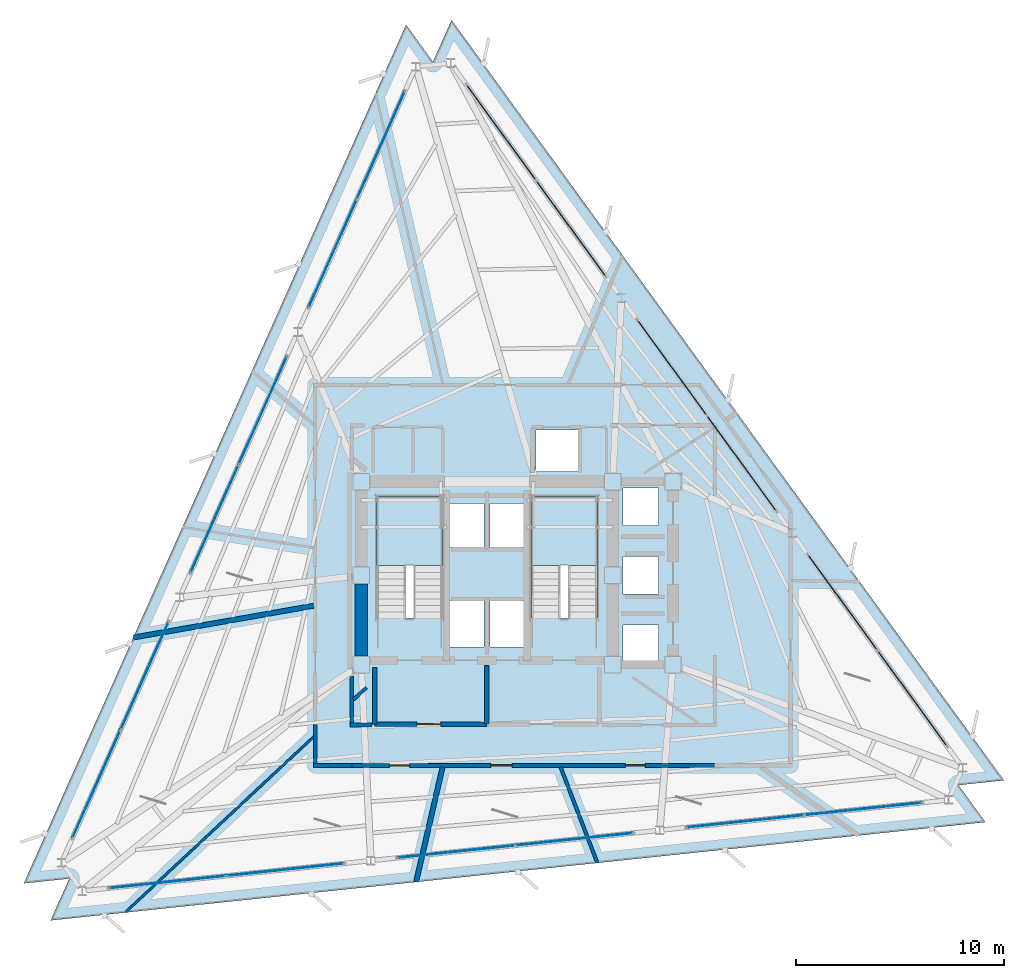
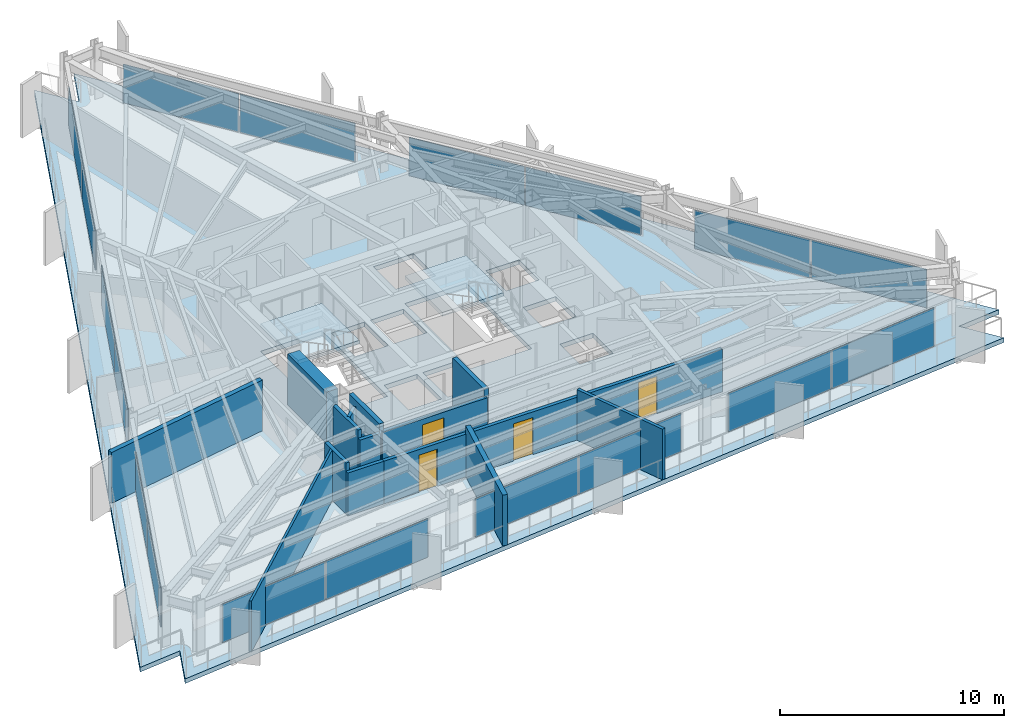
# One storey, part 7 of 12: 18 plates, 14 walls, 4 doors, 3 slabs, 4 openings, 11 elements without a shape of their own.
"""IFC4 building model written with IfcOpenShell, lengths in metres."""

from ifc_helpers import new_model, si_unit, direction, frame, frame_2d, origin, origin_2d, place, context, subcontext, project, spatial, polyline, rectangle, outline, extrude, material, layer, layer_set, type_object, element, fill, aggregate, save


model = new_model("IFC4")

# Units and contexts
model_context = context("Model", 3, precision=1e-05, world=origin(), true_north=direction((0.0, 1.0)))
body_context = subcontext(model_context, "Body", "Model", "MODEL_VIEW")
ifc_project = project(units=[si_unit("LENGTHUNIT", "METRE"), si_unit("AREAUNIT", "SQUARE_METRE"), si_unit("VOLUMEUNIT", "CUBIC_METRE"), si_unit("PLANEANGLEUNIT", "RADIAN"), si_unit("MASSUNIT", "GRAM", prefix="KILO")], contexts=[model_context])

# Site, building, storey
site_placement = place(None, origin())
site = spatial("IfcSite", under=ifc_project, at=site_placement, CompositionType="ELEMENT")
building_placement = place(site_placement, origin())
building = spatial("IfcBuilding", under=site, at=building_placement, Name="Rocaltana Carrier Exchange", CompositionType="ELEMENT")
storey_placement = place(building_placement, frame((0.0, 0.0, 116.800048828125)))
storey = spatial("IfcBuildingStorey", under=building, at=storey_placement, Name="L36", CompositionType="ELEMENT", Elevation=116.800048828125)

# Curtain wall, plates
ifc_material_1 = material(Name="Aluminium 6063-T6", Category="aluminium")
ifc_layer_1 = layer(ifc_material_1, 0.14990234375)
ifc_layer_set_1 = layer_set([ifc_layer_1], Name="Aluminium 6063-T6")
curtain_wall_type = type_object("IfcCurtainWallType", Name="Mid-Tower Unitised Curtain Wall CW-03", PredefinedType="NOTDEFINED", material=ifc_layer_set_1)
curtain_wall_1_placement = place(storey_placement, origin())
curtain_wall_1 = element("IfcCurtainWall", 1, at=curtain_wall_1_placement, inside=storey, type_object=curtain_wall_type, Name="L36 CW-03 Run CW-L36-F1S1", PredefinedType="NOTDEFINED")
ifc_material_2 = material(Name="Tempered Laminated Glass", Category="glass")
ifc_layer_2 = layer(ifc_material_2, 0.0400390625)
ifc_layer_set_2 = layer_set([ifc_layer_2], Name="Tempered Laminated Glass")
plate_type = type_object("IfcPlateType", Name="CW-03 Stone-Insulated Vision Panel", PredefinedType="CURTAIN_PANEL", material=ifc_layer_set_2)
plate_1_placement = place(storey_placement, frame((20.4580078125, -5.925048828125, 0.06005859375), z_axis=(0.0, 0.0, 1.0), x_axis=(-0.587789985889, 0.809013555195, 0.0)))
plate_1 = element("IfcPlate", 2, at=plate_1_placement, type_object=plate_type, Name="CW-03 panel 1.1", PredefinedType="CURTAIN_PANEL", context=body_context, shape_type="SweptSolid", body=[
    extrude(rectangle(XDim=5.643310546875, YDim=0.0400390625, at=origin_2d()), origin(), (0.0, 0.0, 1.0), 2.097900390625),
])
plate_2_placement = place(storey_placement, frame((17.105712890625, -1.310791015625, 0.06005859375), z_axis=(0.0, 0.0, 1.0), x_axis=(-0.587789985889, 0.809013555195, 0.0)))
plate_2 = element("IfcPlate", 3, at=plate_2_placement, type_object=plate_type, Name="CW-03 panel 2.1", PredefinedType="CURTAIN_PANEL", context=body_context, shape_type="SweptSolid", body=[
    extrude(rectangle(XDim=5.643310546875, YDim=0.0400390625, at=origin_2d()), origin(), (0.0, 0.0, 1.0), 2.097900390625),
])
aggregate(curtain_wall_1, [plate_1, plate_2])

curtain_wall_2_placement = place(storey_placement, origin())
curtain_wall_2 = element("IfcCurtainWall", 4, at=curtain_wall_2_placement, inside=storey, type_object=curtain_wall_type, Name="L36 CW-03 Run CW-L36-F1S2", PredefinedType="NOTDEFINED")
plate_3_placement = place(storey_placement, frame((12.248779296875, 5.374267578125, 0.06005859375), z_axis=(0.0, 0.0, 1.0), x_axis=(-0.587789985889, 0.809013555195, 0.0)))
plate_3 = element("IfcPlate", 5, at=plate_3_placement, type_object=plate_type, Name="CW-03 panel 1.1", PredefinedType="CURTAIN_PANEL", context=body_context, shape_type="SweptSolid", body=[
    extrude(rectangle(XDim=5.643310546875, YDim=0.0400390625, at=origin_2d()), origin(), (0.0, 0.0, 1.0), 2.097900390625),
])
plate_4_placement = place(storey_placement, frame((8.896240234375, 9.98828125, 0.06005859375), z_axis=(0.0, 0.0, 1.0), x_axis=(-0.587789985889, 0.809013555195, 0.0)))
plate_4 = element("IfcPlate", 6, at=plate_4_placement, type_object=plate_type, Name="CW-03 panel 2.1", PredefinedType="CURTAIN_PANEL", context=body_context, shape_type="SweptSolid", body=[
    extrude(rectangle(XDim=5.643310546875, YDim=0.0400390625, at=origin_2d()), origin(), (0.0, 0.0, 1.0), 2.097900390625),
])
aggregate(curtain_wall_2, [plate_3, plate_4])

curtain_wall_3_placement = place(storey_placement, origin())
curtain_wall_3 = element("IfcCurtainWall", 7, at=curtain_wall_3_placement, inside=storey, type_object=curtain_wall_type, Name="L36 CW-03 Run CW-L36-F1S3", PredefinedType="NOTDEFINED")
plate_5_placement = place(storey_placement, frame((4.039306640625, 16.673583984375, 0.06005859375), z_axis=(0.0, 0.0, 1.0), x_axis=(-0.587789985889, 0.809013555195, 0.0)))
plate_5 = element("IfcPlate", 8, at=plate_5_placement, type_object=plate_type, Name="CW-03 panel 1.1", PredefinedType="CURTAIN_PANEL", context=body_context, shape_type="SweptSolid", body=[
    extrude(rectangle(XDim=5.643310546875, YDim=0.0400390625, at=origin_2d()), origin(), (0.0, 0.0, 1.0), 2.097900390625),
])
plate_6_placement = place(storey_placement, frame((0.68701171875, 21.28759765625, 0.06005859375), z_axis=(0.0, 0.0, 1.0), x_axis=(-0.587789985889, 0.809013555195, 0.0)))
plate_6 = element("IfcPlate", 9, at=plate_6_placement, type_object=plate_type, Name="CW-03 panel 2.1", PredefinedType="CURTAIN_PANEL", context=body_context, shape_type="SweptSolid", body=[
    extrude(rectangle(XDim=5.643310546875, YDim=0.0400390625, at=origin_2d()), origin(), (0.0, 0.0, 1.0), 2.097900390625),
])
aggregate(curtain_wall_3, [plate_5, plate_6])

curtain_wall_4_placement = place(storey_placement, origin())
curtain_wall_4 = element("IfcCurtainWall", 10, at=curtain_wall_4_placement, inside=storey, type_object=curtain_wall_type, Name="L36 CW-03 Run CW-L36-F2S1", PredefinedType="NOTDEFINED")
plate_7_placement = place(storey_placement, frame((-5.097900390625, 20.6796875, 0.06005859375), z_axis=(0.0, 0.0, 1.0), x_axis=(-0.406740386206, -0.913543791084, 0.0)))
plate_7 = element("IfcPlate", 11, at=plate_7_placement, type_object=plate_type, Name="CW-03 panel 1.1", PredefinedType="CURTAIN_PANEL", context=body_context, shape_type="SweptSolid", body=[
    extrude(rectangle(XDim=5.643310546875, YDim=0.0400390625, at=origin_2d()), origin(), (0.0, 0.0, 1.0), 2.097900390625),
])
plate_8_placement = place(storey_placement, frame((-7.41748046875, 15.46923828125, 0.06005859375), z_axis=(0.0, 0.0, 1.0), x_axis=(-0.406740386206, -0.913543791084, 0.0)))
plate_8 = element("IfcPlate", 12, at=plate_8_placement, type_object=plate_type, Name="CW-03 panel 2.1", PredefinedType="CURTAIN_PANEL", context=body_context, shape_type="SweptSolid", body=[
    extrude(rectangle(XDim=5.643310546875, YDim=0.0400390625, at=origin_2d()), origin(), (0.0, 0.0, 1.0), 2.097900390625),
])
aggregate(curtain_wall_4, [plate_7, plate_8])

curtain_wall_5_placement = place(storey_placement, origin())
curtain_wall_5 = element("IfcCurtainWall", 13, at=curtain_wall_5_placement, inside=storey, type_object=curtain_wall_type, Name="L36 CW-03 Run CW-L36-F2S2", PredefinedType="NOTDEFINED")
plate_9_placement = place(storey_placement, frame((-10.778564453125, 7.92041015625, 0.06005859375), z_axis=(0.0, 0.0, 1.0), x_axis=(-0.406743626669, -0.913542348315, 0.0)))
plate_9 = element("IfcPlate", 14, at=plate_9_placement, type_object=plate_type, Name="CW-03 panel 1.1", PredefinedType="CURTAIN_PANEL", context=body_context, shape_type="SweptSolid", body=[
    extrude(rectangle(XDim=5.643310546875, YDim=0.0400390625, at=origin_2d()), origin(), (0.0, 0.0, 1.0), 2.097900390625),
])
plate_10_placement = place(storey_placement, frame((-13.098388671875, 2.710205078125, 0.06005859375), z_axis=(0.0, 0.0, 1.0), x_axis=(-0.406743626669, -0.913542348315, 0.0)))
plate_10 = element("IfcPlate", 15, at=plate_10_placement, type_object=plate_type, Name="CW-03 panel 2.1", PredefinedType="CURTAIN_PANEL", context=body_context, shape_type="SweptSolid", body=[
    extrude(rectangle(XDim=5.643310546875, YDim=0.0400390625, at=origin_2d()), origin(), (0.0, 0.0, 1.0), 2.097900390625),
])
aggregate(curtain_wall_5, [plate_9, plate_10])

curtain_wall_6_placement = place(storey_placement, origin())
curtain_wall_6 = element("IfcCurtainWall", 16, at=curtain_wall_6_placement, inside=storey, type_object=curtain_wall_type, Name="L36 CW-03 Run CW-L36-F2S3", PredefinedType="NOTDEFINED")
plate_11_placement = place(storey_placement, frame((-16.45947265625, -4.838623046875, 0.06005859375), z_axis=(0.0, 0.0, 1.0), x_axis=(-0.406733108077, -0.913547031517, 0.0)))
plate_11 = element("IfcPlate", 17, at=plate_11_placement, type_object=plate_type, Name="CW-03 panel 1.1", PredefinedType="CURTAIN_PANEL", context=body_context, shape_type="SweptSolid", body=[
    extrude(rectangle(XDim=5.643310546875, YDim=0.0400390625, at=origin_2d()), origin(), (0.0, 0.0, 1.0), 2.097900390625),
])
plate_12_placement = place(storey_placement, frame((-18.779052734375, -10.048828125, 0.06005859375), z_axis=(0.0, 0.0, 1.0), x_axis=(-0.406733108077, -0.913547031517, 0.0)))
plate_12 = element("IfcPlate", 18, at=plate_12_placement, type_object=plate_type, Name="CW-03 panel 2.1", PredefinedType="CURTAIN_PANEL", context=body_context, shape_type="SweptSolid", body=[
    extrude(rectangle(XDim=5.643310546875, YDim=0.0400390625, at=origin_2d()), origin(), (0.0, 0.0, 1.0), 2.097900390625),
])
aggregate(curtain_wall_6, [plate_11, plate_12])

curtain_wall_7_placement = place(storey_placement, origin())
curtain_wall_7 = element("IfcCurtainWall", 19, at=curtain_wall_7_placement, inside=storey, type_object=curtain_wall_type, Name="L36 CW-03 Run CW-L36-F3S1", PredefinedType="NOTDEFINED")
plate_13_placement = place(storey_placement, frame((-15.360107421875, -14.754638671875, 0.06005859375), z_axis=(0.0, 0.0, 1.0), x_axis=(0.994522594952, 0.104521806959, 0.0)))
plate_13 = element("IfcPlate", 20, at=plate_13_placement, type_object=plate_type, Name="CW-03 panel 1.1", PredefinedType="CURTAIN_PANEL", context=body_context, shape_type="SweptSolid", body=[
    extrude(rectangle(XDim=5.643310546875, YDim=0.0400390625, at=origin_2d()), origin(), (0.0, 0.0, 1.0), 2.097900390625),
])
plate_14_placement = place(storey_placement, frame((-9.688232421875, -14.15869140625, 0.06005859375), z_axis=(0.0, 0.0, 1.0), x_axis=(0.994522594952, 0.104521806959, 0.0)))
plate_14 = element("IfcPlate", 21, at=plate_14_placement, type_object=plate_type, Name="CW-03 panel 2.1", PredefinedType="CURTAIN_PANEL", context=body_context, shape_type="SweptSolid", body=[
    extrude(rectangle(XDim=5.643310546875, YDim=0.0400390625, at=origin_2d()), origin(), (0.0, 0.0, 1.0), 2.097900390625),
])
aggregate(curtain_wall_7, [plate_13, plate_14])

curtain_wall_8_placement = place(storey_placement, origin())
curtain_wall_8 = element("IfcCurtainWall", 22, at=curtain_wall_8_placement, inside=storey, type_object=curtain_wall_type, Name="L36 CW-03 Run CW-L36-F3S2", PredefinedType="NOTDEFINED")
plate_15_placement = place(storey_placement, frame((-1.469970703125, -13.294677734375, 0.06005859375), z_axis=(0.0, 0.0, 1.0), x_axis=(0.994521783658, 0.104529526113, 0.0)))
plate_15 = element("IfcPlate", 23, at=plate_15_placement, type_object=plate_type, Name="CW-03 panel 1.1", PredefinedType="CURTAIN_PANEL", context=body_context, shape_type="SweptSolid", body=[
    extrude(rectangle(XDim=5.643310546875, YDim=0.0400390625, at=origin_2d()), origin(), (0.0, 0.0, 1.0), 2.097900390625),
])
plate_16_placement = place(storey_placement, frame((4.2021484375, -12.69873046875, 0.06005859375), z_axis=(0.0, 0.0, 1.0), x_axis=(0.994521783658, 0.104529526113, 0.0)))
plate_16 = element("IfcPlate", 24, at=plate_16_placement, type_object=plate_type, Name="CW-03 panel 2.1", PredefinedType="CURTAIN_PANEL", context=body_context, shape_type="SweptSolid", body=[
    extrude(rectangle(XDim=5.643310546875, YDim=0.0400390625, at=origin_2d()), origin(), (0.0, 0.0, 1.0), 2.097900390625),
])
aggregate(curtain_wall_8, [plate_15, plate_16])

curtain_wall_9_placement = place(storey_placement, origin())
curtain_wall_9 = element("IfcCurtainWall", 25, at=curtain_wall_9_placement, inside=storey, type_object=curtain_wall_type, Name="L36 CW-03 Run CW-L36-F3S3", PredefinedType="NOTDEFINED")
plate_17_placement = place(storey_placement, frame((12.420166015625, -11.834716796875, 0.06005859375), z_axis=(0.0, 0.0, 1.0), x_axis=(0.994522594952, 0.104521806959, 0.0)))
plate_17 = element("IfcPlate", 26, at=plate_17_placement, type_object=plate_type, Name="CW-03 panel 1.1", PredefinedType="CURTAIN_PANEL", context=body_context, shape_type="SweptSolid", body=[
    extrude(rectangle(XDim=5.643310546875, YDim=0.0400390625, at=origin_2d()), origin(), (0.0, 0.0, 1.0), 2.097900390625),
])
plate_18_placement = place(storey_placement, frame((18.092041015625, -11.23876953125, 0.06005859375), z_axis=(0.0, 0.0, 1.0), x_axis=(0.994522594952, 0.104521806959, 0.0)))
plate_18 = element("IfcPlate", 27, at=plate_18_placement, type_object=plate_type, Name="CW-03 panel 2.1", PredefinedType="CURTAIN_PANEL", context=body_context, shape_type="SweptSolid", body=[
    extrude(rectangle(XDim=5.643310546875, YDim=0.0400390625, at=origin_2d()), origin(), (0.0, 0.0, 1.0), 2.097900390625),
])
aggregate(curtain_wall_9, [plate_17, plate_18])

# Slab
ifc_material_3 = material(Name="Concrete C50/60", Category="concrete")
ifc_layer_3 = layer(ifc_material_3, 0.25)
ifc_layer_set_3 = layer_set([ifc_layer_3], Name="Concrete C50/60")
slab_type_1 = type_object("IfcSlabType", Name="Mid-Zone Tower Slab 250", PredefinedType="FLOOR", material=ifc_layer_set_3)
slab_1_placement = place(storey_placement, frame((0.0, 0.0, -0.25)))
element("IfcSlab", 28, at=slab_1_placement, inside=storey, type_object=slab_type_1, Name="L36 Structural Floor Slab", PredefinedType="FLOOR", context=body_context, shape_type="SweptSolid", body=[
    extrude(outline(polyline([(23.972900390625, -11.87744140625), (22.6796875, -10.09765625), (24.86767578125, -9.86767578125), (-1.7001953125, 26.699951171875), (-2.594970703125, 24.690185546875), (-3.88818359375, 26.469970703125), (-22.272705078125, -14.822509765625), (-20.084716796875, -14.59228515625), (-20.9794921875, -16.602294921875), (23.972900390625, -11.87744140625)]), holes=[polyline([(-5.300048828125, -2.06005859375), (-2.139892578125, -2.06005859375), (-2.139892578125, 3.800048828125), (-5.300048828125, 3.800048828125), (-5.300048828125, -2.06005859375)]), polyline([(2.139892578125, -2.06005859375), (5.300048828125, -2.06005859375), (5.300048828125, 3.800048828125), (2.139892578125, 3.800048828125), (2.139892578125, -2.06005859375)]), polyline([(-1.85009765625, -3.449951171875), (-0.14990234375, -3.449951171875), (-0.14990234375, -1.25), (-1.85009765625, -1.25), (-1.85009765625, -3.449951171875)]), polyline([(0.14990234375, -3.449951171875), (1.85009765625, -3.449951171875), (1.85009765625, -1.25), (0.14990234375, -1.25), (0.14990234375, -3.449951171875)]), polyline([(2.35009765625, 4.97998046875), (4.39990234375, 4.97998046875), (4.39990234375, 6.97998046875), (2.35009765625, 6.97998046875), (2.35009765625, 4.97998046875)]), polyline([(-1.85009765625, 1.35009765625), (-0.14990234375, 1.35009765625), (-0.14990234375, 3.449951171875), (-1.85009765625, 3.449951171875), (-1.85009765625, 1.35009765625)]), polyline([(0.14990234375, 1.35009765625), (1.85009765625, 1.35009765625), (1.85009765625, 3.449951171875), (0.14990234375, 3.449951171875), (0.14990234375, 1.35009765625)]), polyline([(6.550048828125, -4.199951171875), (8.25, -4.199951171875), (8.25, -2.39990234375), (6.550048828125, -2.39990234375), (6.550048828125, -4.199951171875)]), polyline([(6.550048828125, -0.89990234375), (8.25, -0.89990234375), (8.25, 0.89990234375), (6.550048828125, 0.89990234375), (6.550048828125, -0.89990234375)]), polyline([(6.550048828125, 2.39990234375), (8.25, 2.39990234375), (8.25, 4.199951171875), (6.550048828125, 4.199951171875), (6.550048828125, 2.39990234375)])]), origin(), (0.0, 0.0, 1.0), 0.25),
])

# Stair, slab
ifc_material_4 = material(Name="Precast concrete C45/55", Category="concrete")
stair_type = type_object("IfcStairType", Name="Standard Dog-Leg Stair 160", PredefinedType="HALF_TURN_STAIR", material=ifc_material_4)
stair_1_placement = place(storey_placement, origin())
stair_1 = element("IfcStair", 29, at=stair_1_placement, inside=storey, type_object=stair_type, Name="L36 Core West Exit Stair ST-1", PredefinedType="HALF_TURN_STAIR")
ifc_material_5 = material(Name="Precast concrete C45/55", Category="concrete")
ifc_layer_4 = layer(ifc_material_5, 0.199951171875)
ifc_layer_set_4 = layer_set([ifc_layer_4], Name="Precast concrete C45/55")
slab_type_2 = type_object("IfcSlabType", Name="Precast Stair Half-Landing 200", PredefinedType="LANDING", material=ifc_layer_set_4)
slab_2_placement = place(storey_placement, frame((0.0, 0.0, 1.320068359375)))
slab_2 = element("IfcSlab", 30, at=slab_2_placement, type_object=slab_type_2, Name="ST-1 landing 1", PredefinedType="LANDING", context=body_context, shape_type="SweptSolid", body=[
    extrude(outline(polyline([(-2.139892578125, 0.4599609375), (-2.139892578125, 3.800048828125), (-5.300048828125, 3.800048828125), (-5.300048828125, 0.4599609375), (-2.139892578125, 0.4599609375)])), origin(), (0.0, 0.0, 1.0), 0.199951171875),
])
aggregate(stair_1, [slab_2])

stair_2_placement = place(storey_placement, origin())
stair_2 = element("IfcStair", 31, at=stair_2_placement, inside=storey, type_object=stair_type, Name="L36 Core East Exit Stair ST-2", PredefinedType="HALF_TURN_STAIR")
slab_3_placement = place(storey_placement, frame((0.0, 0.0, 1.320068359375)))
slab_3 = element("IfcSlab", 32, at=slab_3_placement, type_object=slab_type_2, Name="ST-2 landing 1", PredefinedType="LANDING", context=body_context, shape_type="SweptSolid", body=[
    extrude(outline(polyline([(5.300048828125, 0.4599609375), (5.300048828125, 3.800048828125), (2.139892578125, 3.800048828125), (2.139892578125, 0.4599609375), (5.300048828125, 0.4599609375)])), origin(), (0.0, 0.0, 1.0), 0.199951171875),
])
aggregate(stair_2, [slab_3])

# Walls
ifc_material_6 = material(Name="Double Acoustic Gypsum Partition", Category="gypsum")
ifc_layer_5 = layer(ifc_material_6, 0.159912109375)
ifc_layer_set_5 = layer_set([ifc_layer_5], Name="Double Acoustic Gypsum Partition")
wall_type_1 = type_object("IfcWallType", Name="Acoustic Studio Partition 160 EI60", PredefinedType="PARTITIONING", material=ifc_layer_set_5)
wall_1_placement = place(storey_placement, frame((-5.800048828125, -5.40869140625, 0.0), z_axis=(0.0, 0.0, 1.0), x_axis=(-0.731304251281, -0.682051385204, 0.0)))
element("IfcWall", 33, at=wall_1_placement, inside=storey, type_object=wall_type_1, Name="L36 Suite Divider Wall D2", PredefinedType="PARTITIONING", context=body_context, shape_type="SweptSolid", body=[
    extrude(rectangle(XDim=0.84765625, YDim=0.159912109375, at=frame_2d((0.423828125, 0.0))), origin(), (0.0, 0.0, 1.0), 2.762939453125),
])
wall_2_placement = place(storey_placement, frame((3.543212890625, -9.22998046875, 0.0), z_axis=(0.0, 0.0, 1.0), x_axis=(0.358357985043, -0.93358425145, 0.0)))
element("IfcWall", 34, at=wall_2_placement, inside=storey, type_object=wall_type_1, Name="L36 Suite Divider Wall D5", PredefinedType="PARTITIONING", context=body_context, shape_type="SweptSolid", body=[
    extrude(rectangle(XDim=4.92626953125, YDim=0.159912109375, at=frame_2d((2.463134765625, 0.0))), origin(), (0.0, 0.0, 1.0), 2.762939453125),
])
ifc_material_7 = material(Name="Concrete C50/60", Category="concrete")
ifc_layer_6 = layer(ifc_material_7, 0.60009765625)
ifc_layer_set_6 = layer_set([ifc_layer_6], Name="Concrete C50/60")
wall_type_2 = type_object("IfcWallType", Name="Core Shear Wall 600", PredefinedType="SHEAR", material=ifc_layer_set_6)
wall_3_placement = place(storey_placement, frame((-6.050048828125, -3.875, 0.0), z_axis=(0.0, 0.0, 1.0), x_axis=(0.0, 1.0, 0.0)))
element("IfcWall", 35, at=wall_3_placement, inside=storey, type_object=wall_type_2, Name="L36 Core Shear Wall CW-WS", PredefinedType="SHEAR", context=body_context, shape_type="SweptSolid", body=[
    extrude(rectangle(XDim=3.449951171875, YDim=0.60009765625, at=frame_2d((1.72509765625, 0.0))), origin(), (0.0, 0.0, 1.0), 2.787841796875),
])
ifc_material_8 = material(Name="Gypsum & Steel Stud Partition", Category="steel")
ifc_layer_7 = layer(ifc_material_8, 0.179931640625)
ifc_layer_set_7 = layer_set([ifc_layer_7], Name="Gypsum & Steel Stud Partition")
wall_type_3 = type_object("IfcWallType", Name="Corridor Fire Partition 180 EI60", PredefinedType="PARTITIONING", material=ifc_layer_set_7)
wall_4_placement = place(storey_placement, frame((-6.47998046875, -9.14990234375, 0.0), z_axis=(0.0, 0.0, 1.0), x_axis=(-1.0, 0.0, 0.0)))
element("IfcWall", 36, at=wall_4_placement, inside=storey, type_object=wall_type_3, Name="L36 Corridor Partition 1", PredefinedType="PARTITIONING", context=body_context, shape_type="SweptSolid", body=[
    extrude(rectangle(XDim=1.860107421875, YDim=0.179931640625, at=frame_2d((0.93017578125, 0.0))), origin(), (0.0, 0.0, 1.0), 2.329833984375),
])
wall_5_placement = place(storey_placement, frame((-8.25, -9.06005859375, 0.0), z_axis=(0.0, 0.0, 1.0), x_axis=(0.0, 1.0, 0.0)))
element("IfcWall", 37, at=wall_5_placement, inside=storey, type_object=wall_type_3, Name="L36 Corridor Partition 2", PredefinedType="PARTITIONING", context=body_context, shape_type="SweptSolid", body=[
    extrude(rectangle(XDim=1.880126953125, YDim=0.179931640625, at=frame_2d((0.93994140625, 0.0))), origin(), (0.0, 0.0, 1.0), 2.762939453125),
])

# Wall, openings, doors
wall_6_placement = place(storey_placement, frame((10.97998046875, -9.14990234375, 0.0), z_axis=(0.0, 0.0, 1.0), x_axis=(-1.0, 0.0, 0.0)))
wall_6 = element("IfcWall", 38, at=wall_6_placement, inside=storey, type_object=wall_type_3, Name="L36 Corridor Partition 11", PredefinedType="PARTITIONING", context=body_context, shape_type="SweptSolid", body=[
    extrude(rectangle(XDim=17.5, YDim=0.179931640625, at=frame_2d((8.75, 0.0))), origin(), (0.0, 0.0, 1.0), 2.329833984375),
])
opening_1_placement = place(wall_6_placement, frame((14.6962890625, 0.0, 0.0)))
opening_1 = element("IfcOpeningElement", 39, at=opening_1_placement, cuts=wall_6, Name="Opening D-RM098", PredefinedType="OPENING", context=body_context, shape_type="SweptSolid", body=[
    extrude(rectangle(XDim=0.9599609375, YDim=2.02001953125, at=frame_2d((0.47998046875, 1.010009765625))), frame((0.0, 0.099853515625, 0.0), z_axis=(0.0, -1.0, 0.0), x_axis=(1.0, 0.0, 0.0)), (0.0, 0.0, 1.0), 0.199951171875),
])
opening_2_placement = place(wall_6_placement, frame((9.763916015625, 0.0, 0.0)))
opening_2 = element("IfcOpeningElement", 40, at=opening_2_placement, cuts=wall_6, Name="Opening D-LB104", PredefinedType="OPENING", context=body_context, shape_type="SweptSolid", body=[
    extrude(rectangle(XDim=1.02001953125, YDim=2.02001953125, at=frame_2d((0.510009765625, 1.010009765625))), frame((0.0, 0.099853515625, 0.0), z_axis=(0.0, -1.0, 0.0), x_axis=(1.0, 0.0, 0.0)), (0.0, 0.0, 1.0), 0.199951171875),
])
opening_3_placement = place(wall_6_placement, frame((3.365966796875, 0.0, 0.0)))
opening_3 = element("IfcOpeningElement", 41, at=opening_3_placement, cuts=wall_6, Name="Opening D-RM098", PredefinedType="OPENING", context=body_context, shape_type="SweptSolid", body=[
    extrude(rectangle(XDim=0.9599609375, YDim=2.02001953125, at=frame_2d((0.47998046875, 1.010009765625))), frame((0.0, 0.099853515625, 0.0), z_axis=(0.0, -1.0, 0.0), x_axis=(1.0, 0.0, 0.0)), (0.0, 0.0, 1.0), 0.199951171875),
])
ifc_material_9 = material(Name="Powder-Coated Aluminium 6063-T6", Category="aluminium")
door_type_1 = type_object("IfcDoorType", Name="Laboratory Acoustic Door 1020x2020", OperationType="NOTDEFINED", PredefinedType="DOOR", material=ifc_material_9)
door_1_placement = place(opening_2_placement, origin())
door_1 = element("IfcDoor", 42, at=door_1_placement, inside=storey, type_object=door_type_1, Name="L36 Optical Switching Laboratory Entrance Door", OperationType="SINGLE_SWING_LEFT", OverallHeight=2.02001953125, OverallWidth=1.02001953125, PredefinedType="DOOR", context=body_context, shape_type="SweptSolid", body=[
    extrude(rectangle(XDim=1.02001953125, YDim=2.02001953125, at=frame_2d((0.510009765625, 1.010009765625))), frame((0.0, 0.02490234375, 0.0), z_axis=(0.0, -1.0, 0.0), x_axis=(1.0, 0.0, 0.0)), (0.0, 0.0, 1.0), 0.050048828125),
])
fill(opening_2, door_1)
ifc_material_10 = material(Name="Engineered Hardwood Timber", Category="wood")
door_type_2 = type_object("IfcDoorType", Name="Workspace Single Door 960x2020", OperationType="NOTDEFINED", PredefinedType="DOOR", material=ifc_material_10)
door_2_placement = place(opening_1_placement, origin())
door_2 = element("IfcDoor", 43, at=door_2_placement, inside=storey, type_object=door_type_2, Name="L36 Peering Conference Room Entrance Door", OperationType="SINGLE_SWING_RIGHT", OverallHeight=2.02001953125, OverallWidth=0.9599609375, PredefinedType="DOOR", context=body_context, shape_type="SweptSolid", body=[
    extrude(rectangle(XDim=0.9599609375, YDim=2.02001953125, at=frame_2d((0.47998046875, 1.010009765625))), frame((0.0, 0.02490234375, 0.0), z_axis=(0.0, -1.0, 0.0), x_axis=(1.0, 0.0, 0.0)), (0.0, 0.0, 1.0), 0.050048828125),
])
fill(opening_1, door_2)
door_3_placement = place(opening_3_placement, origin())
door_3 = element("IfcDoor", 44, at=door_3_placement, inside=storey, type_object=door_type_2, Name="L36 Executive Peering Boardroom Entrance Door", OperationType="SINGLE_SWING_RIGHT", OverallHeight=2.02001953125, OverallWidth=0.9599609375, PredefinedType="DOOR", context=body_context, shape_type="SweptSolid", body=[
    extrude(rectangle(XDim=0.9599609375, YDim=2.02001953125, at=frame_2d((0.47998046875, 1.010009765625))), frame((0.0, 0.02490234375, 0.0), z_axis=(0.0, -1.0, 0.0), x_axis=(1.0, 0.0, 0.0)), (0.0, 0.0, 1.0), 0.050048828125),
])
fill(opening_3, door_3)

# Walls
wall_7_placement = place(storey_placement, frame((-6.5, -4.8798828125, 0.0), z_axis=(0.0, 0.0, 1.0), x_axis=(0.0, -1.0, 0.0)))
element("IfcWall", 45, at=wall_7_placement, inside=storey, type_object=wall_type_3, Name="L36 Corridor Partition 19", PredefinedType="PARTITIONING", context=body_context, shape_type="SweptSolid", body=[
    extrude(rectangle(XDim=2.230224609375, YDim=0.179931640625, at=frame_2d((1.115234375, 0.0))), origin(), (0.0, 0.0, 1.0), 2.762939453125),
])
wall_8_placement = place(storey_placement, frame((-6.590087890625, -7.199951171875, 0.0), z_axis=(0.0, 0.0, 1.0), x_axis=(1.0, 0.0, 0.0)))
element("IfcWall", 46, at=wall_8_placement, inside=storey, type_object=wall_type_3, Name="L36 Corridor Partition 20", PredefinedType="PARTITIONING", context=body_context, shape_type="SweptSolid", body=[
    extrude(rectangle(XDim=1.06005859375, YDim=0.179931640625, at=frame_2d((0.530029296875, 0.0))), origin(), (0.0, 0.0, 1.0), 2.329833984375),
])
ifc_material_11 = material(Name="Aluminium 6063-T6 & Acoustic Glass", Category="aluminium")
ifc_layer_8 = layer(ifc_material_11, 0.114990234375)
ifc_layer_set_8 = layer_set([ifc_layer_8], Name="Aluminium 6063-T6 & Acoustic Glass")
wall_type_4 = type_object("IfcWallType", Name="Demountable Glazed Lab Partition 115", PredefinedType="MOVABLE", material=ifc_layer_set_8)
wall_9_placement = place(storey_placement, frame((-8.330078125, -7.767822265625, 0.0), z_axis=(0.0, 0.0, 1.0), x_axis=(-0.731355419522, -0.681996517833, 0.0)))
element("IfcWall", 47, at=wall_9_placement, inside=storey, type_object=wall_type_4, Name="L36 Suite Divider Wall D3", PredefinedType="MOVABLE", context=body_context, shape_type="SweptSolid", body=[
    extrude(rectangle(XDim=12.38525390625, YDim=0.114990234375, at=frame_2d((6.192626953125, 0.0))), origin(), (0.0, 0.0, 1.0), 2.762939453125),
])
ifc_material_12 = material(Name="Autoclaved Aerated Concrete C30/37", Category="concrete")
ifc_layer_9 = layer(ifc_material_12, 0.219970703125)
ifc_layer_set_9 = layer_set([ifc_layer_9], Name="Autoclaved Aerated Concrete C30/37")
wall_type_5 = type_object("IfcWallType", Name="Firefighting Lobby Wall 220 EI120", PredefinedType="PARTITIONING", material=ifc_layer_set_9)
wall_10_placement = place(storey_placement, frame((-5.39990234375, -7.159912109375, 0.0), z_axis=(0.0, 0.0, 1.0), x_axis=(0.0, 1.0, 0.0)))
element("IfcWall", 48, at=wall_10_placement, inside=storey, type_object=wall_type_5, Name="L36 FFL Lobby 1 West Wall", PredefinedType="PARTITIONING", context=body_context, shape_type="SweptSolid", body=[
    extrude(rectangle(XDim=2.7099609375, YDim=0.219970703125, at=frame_2d((1.35498046875, 0.0))), origin(), (0.0, 0.0, 1.0), 2.762939453125),
])
wall_11_placement = place(storey_placement, frame((0.0, -7.159912109375, 0.0), z_axis=(0.0, 0.0, 1.0), x_axis=(0.0, 1.0, 0.0)))
element("IfcWall", 49, at=wall_11_placement, inside=storey, type_object=wall_type_5, Name="L36 FFL Lobby Centre Wall", PredefinedType="PARTITIONING", context=body_context, shape_type="SweptSolid", body=[
    extrude(rectangle(XDim=2.809814453125, YDim=0.219970703125, at=frame_2d((1.40478515625, 0.0))), origin(), (0.0, 0.0, 1.0), 2.762939453125),
])

# Wall, opening, door
wall_12_placement = place(storey_placement, frame((-5.39990234375, -7.159912109375, 0.0), z_axis=(0.0, 0.0, 1.0), x_axis=(1.0, 0.0, 0.0)))
wall_12 = element("IfcWall", 50, at=wall_12_placement, inside=storey, type_object=wall_type_5, Name="L36 FFL Lobby 1 South Wall", PredefinedType="PARTITIONING", context=body_context, shape_type="SweptSolid", body=[
    extrude(rectangle(XDim=5.39990234375, YDim=0.219970703125, at=frame_2d((2.699951171875, 0.0))), origin(), (0.0, 0.0, 1.0), 2.329833984375),
])
opening_4_placement = place(wall_12_placement, frame((2.050048828125, 0.0, 0.0)))
opening_4 = element("IfcOpeningElement", 51, at=opening_4_placement, cuts=wall_12, Name="Opening D-FF115", PredefinedType="OPENING", context=body_context, shape_type="SweptSolid", body=[
    extrude(rectangle(XDim=1.1201171875, YDim=2.02001953125, at=frame_2d((0.56005859375, 1.010009765625))), frame((0.0, 0.119873046875, 0.0), z_axis=(0.0, -1.0, 0.0), x_axis=(1.0, 0.0, 0.0)), (0.0, 0.0, 1.0), 0.239990234375),
])
ifc_material_13 = material(Name="Hollow Metal Fire Door Assembly", Category="steel")
door_type_3 = type_object("IfcDoorType", Name="Firefighting Lobby Door 1120x2020 FD60S", OperationType="NOTDEFINED", PredefinedType="DOOR", material=ifc_material_13)
door_4_placement = place(opening_4_placement, origin())
door_4 = element("IfcDoor", 52, at=door_4_placement, inside=storey, type_object=door_type_3, Name="L36 Firefighting Lift Lobby 1 Door", OperationType="SINGLE_SWING_LEFT", OverallHeight=2.02001953125, OverallWidth=1.1201171875, PredefinedType="DOOR", context=body_context, shape_type="SweptSolid", body=[
    extrude(rectangle(XDim=1.1201171875, YDim=2.02001953125, at=frame_2d((0.56005859375, 1.010009765625))), frame((0.0, 0.02490234375, 0.0), z_axis=(0.0, -1.0, 0.0), x_axis=(1.0, 0.0, 0.0)), (0.0, 0.0, 1.0), 0.050048828125),
])
fill(opening_4, door_4)

# Walls
ifc_material_14 = material(Name="Acoustic Calcium Silicate Partition", Category="gypsum")
ifc_layer_10 = layer(ifc_material_14, 0.239990234375)
ifc_layer_set_10 = layer_set([ifc_layer_10], Name="Acoustic Calcium Silicate Partition")
wall_type_6 = type_object("IfcWallType", Name="Heavy Lab Partition 240 EI90", PredefinedType="PARTITIONING", material=ifc_layer_set_10)
wall_13_placement = place(storey_placement, frame((-8.330078125, -1.46875, 0.0), z_axis=(0.0, 0.0, 1.0), x_axis=(-0.984804219106, -0.173668218255, 0.0)))
element("IfcWall", 53, at=wall_13_placement, inside=storey, type_object=wall_type_6, Name="L36 Suite Divider Wall D1", PredefinedType="PARTITIONING", context=body_context, shape_type="SweptSolid", body=[
    extrude(rectangle(XDim=8.80029296875, YDim=0.239990234375, at=frame_2d((4.400146484375, 0.0))), origin(), (0.0, 0.0, 1.0), 2.762939453125),
])
wall_14_placement = place(storey_placement, frame((-2.130859375, -9.22998046875, 0.0), z_axis=(0.0, 0.0, 1.0), x_axis=(-0.224947713915, -0.974370835978, 0.0)))
element("IfcWall", 54, at=wall_14_placement, inside=storey, type_object=wall_type_6, Name="L36 Suite Divider Wall D4", PredefinedType="PARTITIONING", context=body_context, shape_type="SweptSolid", body=[
    extrude(rectangle(XDim=5.659912109375, YDim=0.239990234375, at=frame_2d((2.830078125, 0.0))), origin(), (0.0, 0.0, 1.0), 2.762939453125),
])

save(model, "model.ifc")
